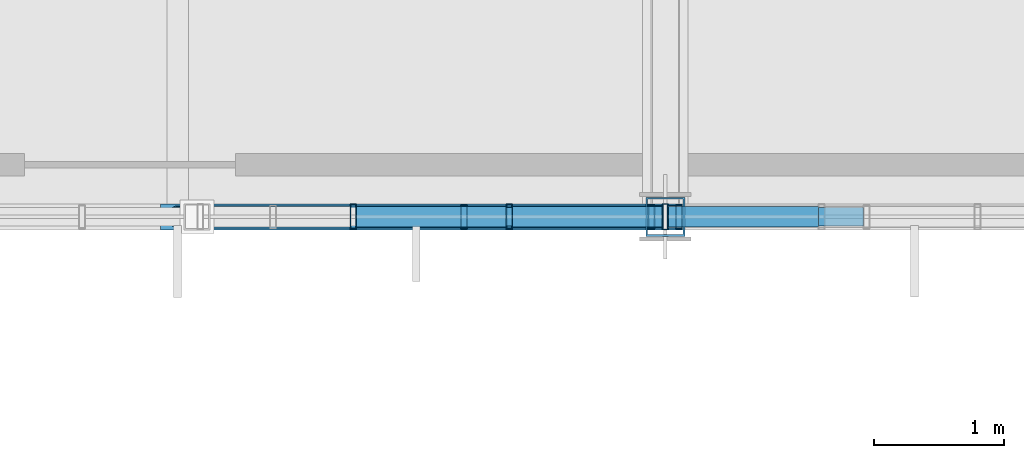
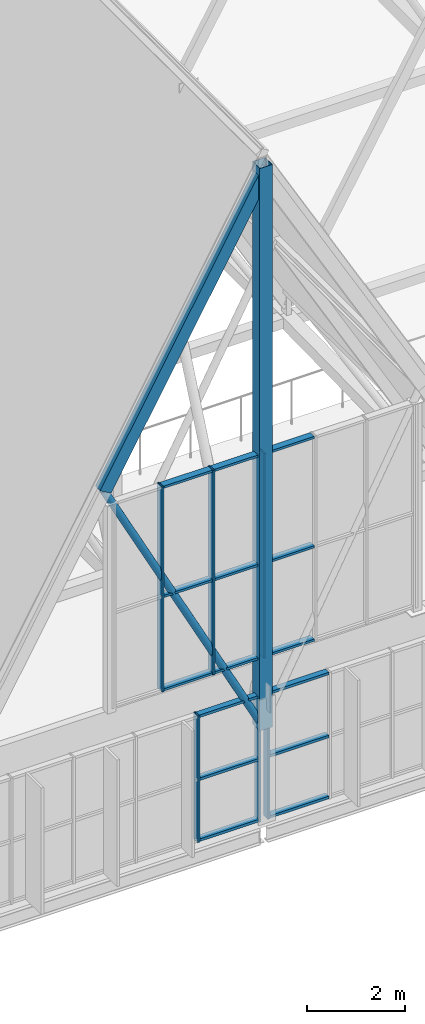
# One storey, part 127 of 324: 24 members, 3 elements without a shape of their own.
"""IFC4 building model written with IfcOpenShell, lengths in metres."""

from ifc_helpers import new_model, si_unit, direction, frame, origin, origin_2d, place, context, subcontext, project, spatial, hollow_rectangle, hollow_circle, extrude, material, layer, layer_set, material_profile, profile_set, type_object, element, aggregate, save


model = new_model("IFC4")

# Units and contexts
model_context = context("Model", 3, precision=1e-05, world=origin(), true_north=direction((0.0, 1.0)))
body_context = subcontext(model_context, "Body", "Model", "MODEL_VIEW")
ifc_project = project(units=[si_unit("LENGTHUNIT", "METRE"), si_unit("AREAUNIT", "SQUARE_METRE"), si_unit("VOLUMEUNIT", "CUBIC_METRE"), si_unit("PLANEANGLEUNIT", "RADIAN"), si_unit("MASSUNIT", "GRAM", prefix="KILO")], contexts=[model_context])

# Site, building, storey
site_placement = place(None, origin())
site = spatial("IfcSite", under=ifc_project, at=site_placement, CompositionType="ELEMENT")
building_placement = place(site_placement, origin())
building = spatial("IfcBuilding", under=site, at=building_placement, Name="Solvenia Promenade Tram Depot", CompositionType="ELEMENT")
storey_placement = place(building_placement, frame((0.0, 0.0, 4.5)))
storey = spatial("IfcBuildingStorey", under=building, at=storey_placement, Name="L01", CompositionType="ELEMENT", Elevation=4.5)

# Curtain wall, members
ifc_material_1 = material(Name="Anodized aluminium AW-6063 T6", Category="aluminium")
ifc_layer_1 = layer(ifc_material_1, 0.159912109375, Name="Anodized aluminium AW-6063 T6", Category="aluminium")
ifc_layer_set_1 = layer_set([ifc_layer_1], Name="Anodized aluminium AW-6063 T6")
curtain_wall_type_1 = type_object("IfcCurtainWallType", Name="CW-Channel-1500", PredefinedType="NOTDEFINED", material=ifc_layer_set_1)
curtain_wall_1_placement = place(storey_placement, origin())
curtain_wall_1 = element("IfcCurtainWall", 1, at=curtain_wall_1_placement, inside=storey, type_object=curtain_wall_type_1, Name="Curtain Wall CW-V1S1-05", PredefinedType="NOTDEFINED")
ifc_material_profile_1 = material_profile(ifc_material_1, hollow_rectangle(XDim=0.179931640625, YDim=0.050048828125, WallThickness=0.00390625, at=origin_2d()), Name="ALU-M2", Category="aluminium")
ifc_profile_set_1 = profile_set([ifc_material_profile_1], Name="Anodized aluminium AW-6063 T6")
member_type_1 = type_object("IfcMemberType", Name="CWM-Mullion-2", PredefinedType="MULLION", material=ifc_profile_set_1)
member_1_placement = place(storey_placement, frame((80.951904296875, 66.0, 0.0), z_axis=(0.0, 0.0, 1.0), x_axis=(0.0, 1.0, 0.0)))
member_1 = element("IfcMember", 2, at=member_1_placement, type_object=member_type_1, Name="CW-2 mullion 5", PredefinedType="MULLION", context=body_context, shape_type="SweptSolid", body=[
    extrude(hollow_rectangle(XDim=0.179931640625, YDim=0.050048828125, WallThickness=0.00390625, at=origin_2d()), origin(), (0.0, 0.0, 1.0), 3.14990234375),
])
member_2_placement = place(storey_placement, frame((82.39501953125, 66.0, 0.0), z_axis=(0.0, 0.0, 1.0), x_axis=(0.0, 1.0, 0.0)))
member_2 = element("IfcMember", 3, at=member_2_placement, type_object=member_type_1, Name="CW-2 mullion 6", PredefinedType="MULLION", context=body_context, shape_type="SweptSolid", body=[
    extrude(hollow_rectangle(XDim=0.179931640625, YDim=0.050048828125, WallThickness=0.00390625, at=origin_2d()), origin(), (0.0, 0.0, 1.0), 3.14990234375),
])

# Curtain wall, member
curtain_wall_2_placement = place(storey_placement, origin())
curtain_wall_2 = element("IfcCurtainWall", 4, at=curtain_wall_2_placement, inside=storey, type_object=curtain_wall_type_1, Name="Curtain Wall CW-V1S1-06", PredefinedType="NOTDEFINED")
member_3_placement = place(storey_placement, frame((82.60498046875, 66.0, 0.0), z_axis=(0.0, 0.0, 1.0), x_axis=(0.0, 1.0, 0.0)))
member_3 = element("IfcMember", 5, at=member_3_placement, type_object=member_type_1, Name="CW-2 mullion 1", PredefinedType="MULLION", context=body_context, shape_type="SweptSolid", body=[
    extrude(hollow_rectangle(XDim=0.179931640625, YDim=0.050048828125, WallThickness=0.00390625, at=origin_2d()), origin(), (0.0, 0.0, 1.0), 3.14990234375),
])

# Curtain wall, members
ifc_layer_2 = layer(ifc_material_1, 0.14990234375, Name="Anodized aluminium AW-6063 T6", Category="aluminium")
ifc_layer_set_2 = layer_set([ifc_layer_2], Name="Anodized aluminium AW-6063 T6")
curtain_wall_type_2 = type_object("IfcCurtainWallType", Name="CW-Gable-1200", PredefinedType="NOTDEFINED", material=ifc_layer_set_2)
curtain_wall_3_placement = place(storey_placement, origin())
curtain_wall_3 = element("IfcCurtainWall", 6, at=curtain_wall_3_placement, inside=storey, type_object=curtain_wall_type_2, Name="South Zigzag Gable 06 Peak Glazing", PredefinedType="NOTDEFINED")
ifc_material_profile_2 = material_profile(ifc_material_1, hollow_rectangle(XDim=0.199951171875, YDim=0.048095703125, WallThickness=0.00390625, at=origin_2d()), Name="ALU-M3", Category="aluminium")
ifc_profile_set_2 = profile_set([ifc_material_profile_2], Name="Anodized aluminium AW-6063 T6")
member_type_2 = type_object("IfcMemberType", Name="CWM-Mullion-3", PredefinedType="MULLION", material=ifc_profile_set_2)
member_4_placement = place(storey_placement, frame((80.10009765625, 66.0, 4.050048828125), z_axis=(0.0, 0.0, 1.0), x_axis=(0.0, 1.0, 0.0)))
member_4 = element("IfcMember", 7, at=member_4_placement, type_object=member_type_2, Name="CW-3 mullion 2", PredefinedType="MULLION", context=body_context, shape_type="SweptSolid", body=[
    extrude(hollow_rectangle(XDim=0.199951171875, YDim=0.048095703125, WallThickness=0.00390625, at=origin_2d()), origin(), (0.0, 0.0, 1.0), 5.099853515625),
])
member_5_placement = place(storey_placement, frame((81.300048828125, 66.0, 4.050048828125), z_axis=(0.0, 0.0, 1.0), x_axis=(0.0, 1.0, 0.0)))
member_5 = element("IfcMember", 8, at=member_5_placement, type_object=member_type_2, Name="CW-3 mullion 3", PredefinedType="MULLION", context=body_context, shape_type="SweptSolid", body=[
    extrude(hollow_rectangle(XDim=0.199951171875, YDim=0.048095703125, WallThickness=0.00390625, at=origin_2d()), origin(), (0.0, 0.0, 1.0), 5.099853515625),
])
member_6_placement = place(storey_placement, frame((82.5, 66.0, 4.050048828125), z_axis=(0.0, 0.0, 1.0), x_axis=(0.0, 1.0, 0.0)))
member_6 = element("IfcMember", 9, at=member_6_placement, type_object=member_type_2, Name="CW-3 mullion 4", PredefinedType="MULLION", context=body_context, shape_type="SweptSolid", body=[
    extrude(hollow_rectangle(XDim=0.199951171875, YDim=0.048095703125, WallThickness=0.00390625, at=origin_2d()), origin(), (0.0, 0.0, 1.0), 5.099853515625),
])

# Member
ifc_material_profile_3 = material_profile(ifc_material_1, hollow_rectangle(XDim=0.139892578125, YDim=0.06494140625, WallThickness=0.00390625, at=origin_2d()), Name="ALU-T2", Category="aluminium")
ifc_profile_set_3 = profile_set([ifc_material_profile_3], Name="Anodized aluminium AW-6063 T6")
member_type_3 = type_object("IfcMemberType", Name="CWT-Transom-2", PredefinedType="USERDEFINED", material=ifc_profile_set_3)
member_7_placement = place(storey_placement, frame((80.97705078125, 66.0, 0.032470703125), z_axis=(1.0, 0.0, 0.0), x_axis=(0.0, 1.0, 0.0)))
member_7 = element("IfcMember", 10, at=member_7_placement, type_object=member_type_3, Name="CW-2 transom 5.1", ObjectType="TRANSOM", PredefinedType="USERDEFINED", context=body_context, shape_type="SweptSolid", body=[
    extrude(hollow_rectangle(XDim=0.139892578125, YDim=0.06494140625, WallThickness=0.00390625, at=origin_2d()), origin(), (0.0, 0.0, 1.0), 1.39306640625),
])

member_8_placement = place(storey_placement, frame((80.97705078125, 66.0, 1.550048828125), z_axis=(1.0, 0.0, 0.0), x_axis=(0.0, 1.0, 0.0)))
member_8 = element("IfcMember", 11, at=member_8_placement, type_object=member_type_3, Name="CW-2 transom 5.2", ObjectType="TRANSOM", PredefinedType="USERDEFINED", context=body_context, shape_type="SweptSolid", body=[
    extrude(hollow_rectangle(XDim=0.139892578125, YDim=0.06494140625, WallThickness=0.00390625, at=origin_2d()), origin(), (0.0, 0.0, 1.0), 1.39306640625),
])

member_9_placement = place(storey_placement, frame((80.97705078125, 66.0, 3.117431640625), z_axis=(1.0, 0.0, 0.0), x_axis=(0.0, 1.0, 0.0)))
member_9 = element("IfcMember", 12, at=member_9_placement, type_object=member_type_3, Name="CW-2 transom 5.3", ObjectType="TRANSOM", PredefinedType="USERDEFINED", context=body_context, shape_type="SweptSolid", body=[
    extrude(hollow_rectangle(XDim=0.139892578125, YDim=0.06494140625, WallThickness=0.00390625, at=origin_2d()), origin(), (0.0, 0.0, 1.0), 1.39306640625),
])

aggregate(curtain_wall_1, [member_1, member_2, member_7, member_8, member_9])

member_10_placement = place(storey_placement, frame((82.6298828125, 66.0, 0.032470703125), z_axis=(1.0, 0.0, 0.0), x_axis=(0.0, 1.0, 0.0)))
member_10 = element("IfcMember", 13, at=member_10_placement, type_object=member_type_3, Name="CW-2 transom 1.1", ObjectType="TRANSOM", PredefinedType="USERDEFINED", context=body_context, shape_type="SweptSolid", body=[
    extrude(hollow_rectangle(XDim=0.139892578125, YDim=0.06494140625, WallThickness=0.00390625, at=origin_2d()), origin(), (0.0, 0.0, 1.0), 1.39306640625),
])

member_11_placement = place(storey_placement, frame((82.6298828125, 66.0, 1.550048828125), z_axis=(1.0, 0.0, 0.0), x_axis=(0.0, 1.0, 0.0)))
member_11 = element("IfcMember", 14, at=member_11_placement, type_object=member_type_3, Name="CW-2 transom 1.2", ObjectType="TRANSOM", PredefinedType="USERDEFINED", context=body_context, shape_type="SweptSolid", body=[
    extrude(hollow_rectangle(XDim=0.139892578125, YDim=0.06494140625, WallThickness=0.00390625, at=origin_2d()), origin(), (0.0, 0.0, 1.0), 1.39306640625),
])

member_12_placement = place(storey_placement, frame((82.6298828125, 66.0, 3.117431640625), z_axis=(1.0, 0.0, 0.0), x_axis=(0.0, 1.0, 0.0)))
member_12 = element("IfcMember", 15, at=member_12_placement, type_object=member_type_3, Name="CW-2 transom 1.3", ObjectType="TRANSOM", PredefinedType="USERDEFINED", context=body_context, shape_type="SweptSolid", body=[
    extrude(hollow_rectangle(XDim=0.139892578125, YDim=0.06494140625, WallThickness=0.00390625, at=origin_2d()), origin(), (0.0, 0.0, 1.0), 1.39306640625),
])

aggregate(curtain_wall_2, [member_3, member_10, member_11, member_12])

ifc_material_profile_4 = material_profile(ifc_material_1, hollow_rectangle(XDim=0.159912109375, YDim=0.05810546875, WallThickness=0.00390625, at=origin_2d()), Name="ALU-T3", Category="aluminium")
ifc_profile_set_4 = profile_set([ifc_material_profile_4], Name="Anodized aluminium AW-6063 T6")
member_type_4 = type_object("IfcMemberType", Name="CWT-Transom-3", PredefinedType="USERDEFINED", material=ifc_profile_set_4)
member_13_placement = place(storey_placement, frame((80.1240234375, 66.0, 4.0791015625), z_axis=(1.0, 0.0, 0.0), x_axis=(0.0, 1.0, 0.0)))
member_13 = element("IfcMember", 16, at=member_13_placement, type_object=member_type_4, Name="CW-3 transom 2.1", ObjectType="TRANSOM", PredefinedType="USERDEFINED", context=body_context, shape_type="SweptSolid", body=[
    extrude(hollow_rectangle(XDim=0.159912109375, YDim=0.05810546875, WallThickness=0.00390625, at=origin_2d()), origin(), (0.0, 0.0, 1.0), 1.15185546875),
])

member_14_placement = place(storey_placement, frame((80.1240234375, 66.0, 6.39990234375), z_axis=(1.0, 0.0, 0.0), x_axis=(0.0, 1.0, 0.0)))
member_14 = element("IfcMember", 17, at=member_14_placement, type_object=member_type_4, Name="CW-3 transom 2.2", ObjectType="TRANSOM", PredefinedType="USERDEFINED", context=body_context, shape_type="SweptSolid", body=[
    extrude(hollow_rectangle(XDim=0.159912109375, YDim=0.05810546875, WallThickness=0.00390625, at=origin_2d()), origin(), (0.0, 0.0, 1.0), 1.15185546875),
])

member_15_placement = place(storey_placement, frame((80.1240234375, 66.0, 9.12109375), z_axis=(1.0, 0.0, 0.0), x_axis=(0.0, 1.0, 0.0)))
member_15 = element("IfcMember", 18, at=member_15_placement, type_object=member_type_4, Name="CW-3 transom 2.3", ObjectType="TRANSOM", PredefinedType="USERDEFINED", context=body_context, shape_type="SweptSolid", body=[
    extrude(hollow_rectangle(XDim=0.159912109375, YDim=0.05810546875, WallThickness=0.00390625, at=origin_2d()), origin(), (0.0, 0.0, 1.0), 1.15185546875),
])

member_16_placement = place(storey_placement, frame((81.323974609375, 66.0, 4.0791015625), z_axis=(1.0, 0.0, 0.0), x_axis=(0.0, 1.0, 0.0)))
member_16 = element("IfcMember", 19, at=member_16_placement, type_object=member_type_4, Name="CW-3 transom 3.1", ObjectType="TRANSOM", PredefinedType="USERDEFINED", context=body_context, shape_type="SweptSolid", body=[
    extrude(hollow_rectangle(XDim=0.159912109375, YDim=0.05810546875, WallThickness=0.00390625, at=origin_2d()), origin(), (0.0, 0.0, 1.0), 1.152099609375),
])

member_17_placement = place(storey_placement, frame((81.323974609375, 66.0, 6.39990234375), z_axis=(1.0, 0.0, 0.0), x_axis=(0.0, 1.0, 0.0)))
member_17 = element("IfcMember", 20, at=member_17_placement, type_object=member_type_4, Name="CW-3 transom 3.2", ObjectType="TRANSOM", PredefinedType="USERDEFINED", context=body_context, shape_type="SweptSolid", body=[
    extrude(hollow_rectangle(XDim=0.159912109375, YDim=0.05810546875, WallThickness=0.00390625, at=origin_2d()), origin(), (0.0, 0.0, 1.0), 1.152099609375),
])

member_18_placement = place(storey_placement, frame((81.323974609375, 66.0, 9.12109375), z_axis=(1.0, 0.0, 0.0), x_axis=(0.0, 1.0, 0.0)))
member_18 = element("IfcMember", 21, at=member_18_placement, type_object=member_type_4, Name="CW-3 transom 3.3", ObjectType="TRANSOM", PredefinedType="USERDEFINED", context=body_context, shape_type="SweptSolid", body=[
    extrude(hollow_rectangle(XDim=0.159912109375, YDim=0.05810546875, WallThickness=0.00390625, at=origin_2d()), origin(), (0.0, 0.0, 1.0), 1.152099609375),
])

member_19_placement = place(storey_placement, frame((82.52392578125, 66.0, 4.0791015625), z_axis=(1.0, 0.0, 0.0), x_axis=(0.0, 1.0, 0.0)))
member_19 = element("IfcMember", 22, at=member_19_placement, type_object=member_type_4, Name="CW-3 transom 4.1", ObjectType="TRANSOM", PredefinedType="USERDEFINED", context=body_context, shape_type="SweptSolid", body=[
    extrude(hollow_rectangle(XDim=0.159912109375, YDim=0.05810546875, WallThickness=0.00390625, at=origin_2d()), origin(), (0.0, 0.0, 1.0), 1.152099609375),
])

member_20_placement = place(storey_placement, frame((82.52392578125, 66.0, 6.39990234375), z_axis=(1.0, 0.0, 0.0), x_axis=(0.0, 1.0, 0.0)))
member_20 = element("IfcMember", 23, at=member_20_placement, type_object=member_type_4, Name="CW-3 transom 4.2", ObjectType="TRANSOM", PredefinedType="USERDEFINED", context=body_context, shape_type="SweptSolid", body=[
    extrude(hollow_rectangle(XDim=0.159912109375, YDim=0.05810546875, WallThickness=0.00390625, at=origin_2d()), origin(), (0.0, 0.0, 1.0), 1.152099609375),
])

member_21_placement = place(storey_placement, frame((82.52392578125, 66.0, 9.12109375), z_axis=(1.0, 0.0, 0.0), x_axis=(0.0, 1.0, 0.0)))
member_21 = element("IfcMember", 24, at=member_21_placement, type_object=member_type_4, Name="CW-3 transom 4.3", ObjectType="TRANSOM", PredefinedType="USERDEFINED", context=body_context, shape_type="SweptSolid", body=[
    extrude(hollow_rectangle(XDim=0.159912109375, YDim=0.05810546875, WallThickness=0.00390625, at=origin_2d()), origin(), (0.0, 0.0, 1.0), 1.152099609375),
])

aggregate(curtain_wall_3, [member_4, member_5, member_6, member_13, member_14, member_15, member_16, member_17, member_18, member_19, member_20, member_21])

# Members
ifc_material_2 = material(Name="Structural steel ASTM A500 Gr. C", Category="steel")
ifc_material_profile_5 = material_profile(ifc_material_2, hollow_rectangle(XDim=0.199951171875, YDim=0.300048828125, WallThickness=0.012451171875, at=origin_2d()), Name="HSS300x200x12.5", Category="steel")
ifc_profile_set_5 = profile_set([ifc_material_profile_5], Name="Structural steel ASTM A500 Gr. C")
member_type_5 = type_object("IfcMemberType", Name="Chord-HSS300x200x12", PredefinedType="CHORD", material=ifc_profile_set_5)
member_22_placement = place(storey_placement, frame((78.75, 66.0, 9.501220703125), z_axis=(0.494861595532, 0.0, 0.868971806946), x_axis=(0.0, 1.0, 0.0)))
element("IfcMember", 25, at=member_22_placement, inside=storey, type_object=member_type_5, Name="Zigzag Gable 06 West Upper Rafter", PredefinedType="CHORD", context=body_context, shape_type="SweptSolid", body=[
    extrude(hollow_rectangle(XDim=0.199951171875, YDim=0.300048828125, WallThickness=0.012451171875, at=origin_2d()), origin(), (0.0, 0.0, 1.0), 7.577880859375),
])
ifc_material_profile_6 = material_profile(ifc_material_2, hollow_rectangle(XDim=0.300048828125, YDim=0.300048828125, WallThickness=0.012451171875, at=origin_2d()), Name="HSS300x300x12.5", Category="steel")
ifc_profile_set_6 = profile_set([ifc_material_profile_6], Name="Structural steel ASTM A500 Gr. C")
member_type_6 = type_object("IfcMemberType", Name="Chord-HSS300x300x12", PredefinedType="CHORD", material=ifc_profile_set_6)
member_23_placement = place(storey_placement, frame((82.5, 66.0, 2.320068359375), z_axis=(0.0, 0.0, 1.0), x_axis=(1.0, 0.0, 0.0)))
element("IfcMember", 26, at=member_23_placement, inside=storey, type_object=member_type_6, Name="Arched Truss T12 S End Post", PredefinedType="CHORD", context=body_context, shape_type="SweptSolid", body=[
    extrude(hollow_rectangle(XDim=0.300048828125, YDim=0.300048828125, WallThickness=0.012451171875, at=origin_2d()), origin(), (0.0, 0.0, 1.0), 14.0),
])
ifc_material_profile_7 = material_profile(ifc_material_2, hollow_circle(Radius=0.084228515625, WallThickness=0.008056640625, at=origin_2d()), Name="CHS168.3x8", Category="steel")
ifc_profile_set_7 = profile_set([ifc_material_profile_7], Name="Structural steel ASTM A500 Gr. C")
member_type_7 = type_object("IfcMemberType", Name="WebDiag-CHS168x8", PredefinedType="BRACE", material=ifc_profile_set_7)
member_24_placement = place(storey_placement, frame((82.5, 66.0, 2.320068359375), z_axis=(-0.462887306423, 0.0, 0.886417137443), x_axis=(0.0, -1.0, 0.0)))
element("IfcMember", 27, at=member_24_placement, inside=storey, type_object=member_type_7, Name="Zigzag Gable 06 West Knee Strut", PredefinedType="BRACE", context=body_context, shape_type="SweptSolid", body=[
    extrude(hollow_circle(Radius=0.084228515625, WallThickness=0.008056640625, at=origin_2d()), origin(), (0.0, 0.0, 1.0), 8.101318359375),
])

save(model, "model.ifc")
